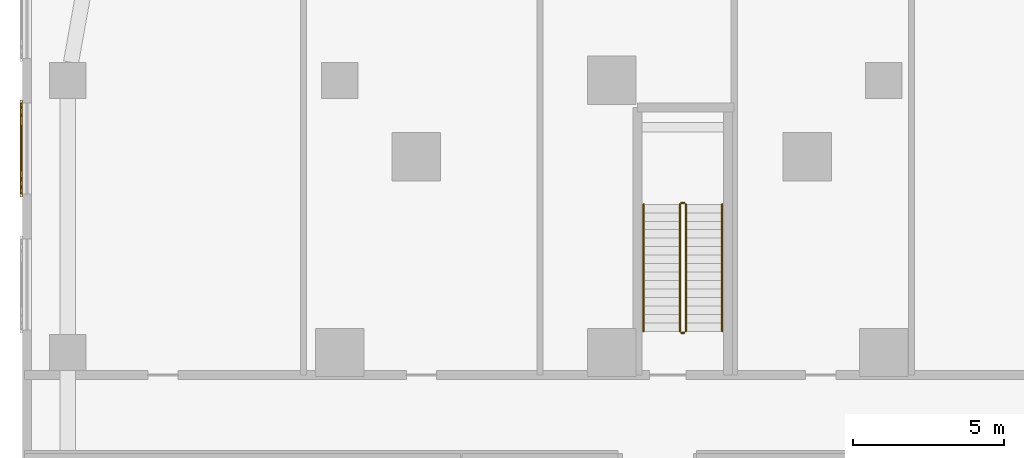
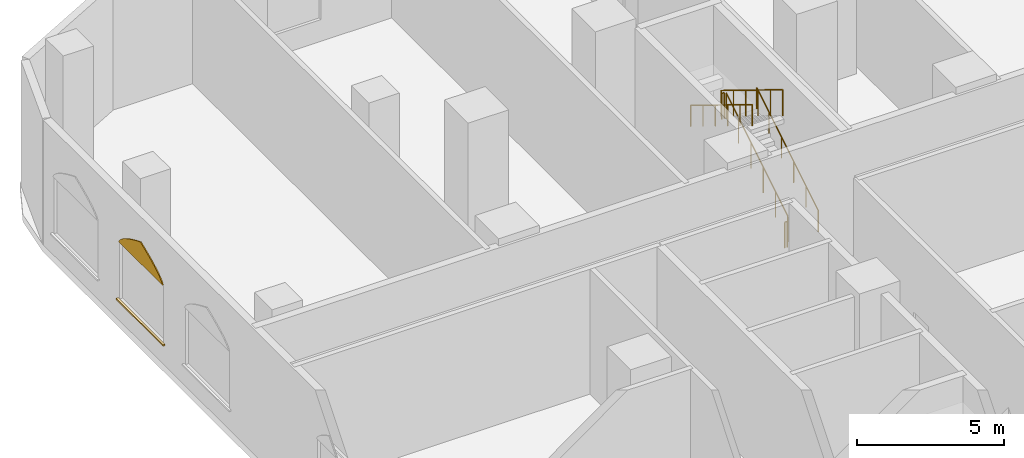
# One storey, part 24 of 31: 6 railings, 2 coverings.
"""IFC4 building model written with IfcOpenShell, lengths in metres."""

from ifc_helpers import new_model, si_unit, direction, frame, origin, origin_2d, place, context, subcontext, project, spatial, polyline, rectangle, circle, outline, extrude, material, layer, layer_set, type_object, element, save


model = new_model("IFC4")

# Units and contexts
model_context = context("Model", 3, precision=1e-05, world=origin(), true_north=direction((0.0, 1.0)))
body_context = subcontext(model_context, "Body", "Model", "MODEL_VIEW")
ifc_project = project(units=[si_unit("LENGTHUNIT", "METRE"), si_unit("AREAUNIT", "SQUARE_METRE"), si_unit("VOLUMEUNIT", "CUBIC_METRE"), si_unit("PLANEANGLEUNIT", "RADIAN"), si_unit("MASSUNIT", "GRAM", prefix="KILO")], contexts=[model_context])

# Site, building, storey
site_placement = place(None, origin())
site = spatial("IfcSite", under=ifc_project, at=site_placement, CompositionType="ELEMENT")
building_placement = place(site_placement, origin())
building = spatial("IfcBuilding", under=site, at=building_placement, Name="Ogive Portal Towers", CompositionType="ELEMENT")
storey_placement = place(building_placement, frame((0.0, 0.0, 8.0)))
storey = spatial("IfcBuildingStorey", under=building, at=storey_placement, Name="L01", CompositionType="ELEMENT", Elevation=8.0)

# Railings
ifc_material_1 = material(Name="Stainless steel balustrade", Category="steel")
railing_type_1 = type_object("IfcRailingType", Name="INT-GUARD", PredefinedType="GUARDRAIL", material=ifc_material_1)
railing_1_placement = place(storey_placement, frame((42.949951171875, 67.199951171875, 0.171875)))
element("IfcRailing", 1, at=railing_1_placement, inside=storey, type_object=railing_type_1, Name="L01 ST-A3 stair guard 1", PredefinedType="GUARDRAIL", context=body_context, shape_type="SweptSolid", body=[
    extrude(circle(Radius=0.02392578125, at=origin_2d()), frame((0.0, 0.0, 1.076171875), z_axis=(0.0, 0.852242915053, 0.523146264196), x_axis=(-1.0, 0.0, 0.0)), (0.0, 0.0, 1.0), 4.92822265625),
    extrude(circle(Radius=0.02099609375, at=origin_2d()), origin(), (0.0, 0.0, 1.0), 1.052001953125),
    extrude(circle(Radius=0.02099609375, at=origin_2d()), frame((0.0, 0.840087890625, 0.515625)), (0.0, 0.0, 1.0), 1.052001953125),
    extrude(circle(Radius=0.02099609375, at=origin_2d()), frame((0.0, 1.679931640625, 1.03125)), (0.0, 0.0, 1.0), 1.052001953125),
    extrude(circle(Radius=0.02099609375, at=origin_2d()), frame((0.0, 2.52001953125, 1.546875)), (0.0, 0.0, 1.0), 1.052001953125),
    extrude(circle(Radius=0.02099609375, at=origin_2d()), frame((0.0, 3.35986328125, 2.0625)), (0.0, 0.0, 1.0), 1.052001953125),
    extrude(circle(Radius=0.02099609375, at=origin_2d()), frame((0.0, 4.199951171875, 2.578125)), (0.0, 0.0, 1.0), 1.052001953125),
])
railing_2_placement = place(storey_placement, frame((42.89990234375, 71.449951171875, 2.75)))
element("IfcRailing", 2, at=railing_2_placement, inside=storey, type_object=railing_type_1, Name="L01 ST-A3 stair guard 2", PredefinedType="GUARDRAIL", context=body_context, shape_type="SweptSolid", body=[
    extrude(circle(Radius=0.02392578125, at=origin_2d()), frame((0.0, 0.0, 1.076171875), z_axis=(-1.0, 0.0, 0.0), x_axis=(0.0, -1.0, 0.0)), (0.0, 0.0, 1.0), 0.099853515625),
    extrude(circle(Radius=0.02099609375, at=origin_2d()), origin(), (0.0, 0.0, 1.0), 1.052001953125),
    extrude(circle(Radius=0.02099609375, at=origin_2d()), frame((-0.099853515625, 0.0, 0.0)), (0.0, 0.0, 1.0), 1.052001953125),
])
railing_3_placement = place(storey_placement, frame((42.75, 71.39990234375, 2.921875)))
element("IfcRailing", 3, at=railing_3_placement, inside=storey, type_object=railing_type_1, Name="L01 ST-A3 stair guard 3", PredefinedType="GUARDRAIL", context=body_context, shape_type="SweptSolid", body=[
    extrude(circle(Radius=0.02392578125, at=origin_2d()), frame((0.0, 0.0, 1.076171875), z_axis=(0.0, -0.852242915053, 0.523146264196), x_axis=(1.0, 0.0, 0.0)), (0.0, 0.0, 1.0), 4.92822265625),
    extrude(circle(Radius=0.02099609375, at=origin_2d()), origin(), (0.0, 0.0, 1.0), 1.052001953125),
    extrude(circle(Radius=0.02099609375, at=origin_2d()), frame((0.0, -0.840087890625, 0.515625)), (0.0, 0.0, 1.0), 1.052001953125),
    extrude(circle(Radius=0.02099609375, at=origin_2d()), frame((0.0, -1.679931640625, 1.03125)), (0.0, 0.0, 1.0), 1.052001953125),
    extrude(circle(Radius=0.02099609375, at=origin_2d()), frame((0.0, -2.52001953125, 1.546875)), (0.0, 0.0, 1.0), 1.052001953125),
    extrude(circle(Radius=0.02099609375, at=origin_2d()), frame((0.0, -3.35986328125, 2.0625)), (0.0, 0.0, 1.0), 1.052001953125),
    extrude(circle(Radius=0.02099609375, at=origin_2d()), frame((0.0, -4.199951171875, 2.578125)), (0.0, 0.0, 1.0), 1.052001953125),
])
railing_4_placement = place(storey_placement, frame((42.89990234375, 67.14990234375, 0.0)))
element("IfcRailing", 4, at=railing_4_placement, inside=storey, type_object=railing_type_1, Name="L01 ST-A3 stair guard 4", PredefinedType="GUARDRAIL", context=body_context, shape_type="SweptSolid", body=[
    extrude(circle(Radius=0.02392578125, at=origin_2d()), frame((0.0, 0.0, 1.076171875), z_axis=(-1.0, 0.0, 0.0), x_axis=(0.0, -1.0, 0.0)), (0.0, 0.0, 1.0), 0.099853515625),
    extrude(circle(Radius=0.02099609375, at=origin_2d()), origin(), (0.0, 0.0, 1.0), 1.052001953125),
    extrude(circle(Radius=0.02099609375, at=origin_2d()), frame((-0.099853515625, 0.0, 0.0)), (0.0, 0.0, 1.0), 1.052001953125),
])
ifc_material_2 = material(Name="Stainless steel handrail", Category="steel")
railing_type_2 = type_object("IfcRailingType", Name="INT-HANDRAIL", PredefinedType="HANDRAIL", material=ifc_material_2)
railing_5_placement = place(storey_placement, frame((44.14990234375, 67.199951171875, 0.171875)))
element("IfcRailing", 5, at=railing_5_placement, inside=storey, type_object=railing_type_2, Name="L01 ST-A3 stair handrail 1", PredefinedType="HANDRAIL", context=body_context, shape_type="SweptSolid", body=[
    extrude(circle(Radius=0.02392578125, at=origin_2d()), frame((0.0, 0.0, 0.8759765625), z_axis=(0.0, 0.852242915053, 0.523146264196), x_axis=(-1.0, 0.0, 0.0)), (0.0, 0.0, 1.0), 4.92822265625),
    extrude(circle(Radius=0.02099609375, at=origin_2d()), origin(), (0.0, 0.0, 1.0), 0.851806640625),
    extrude(circle(Radius=0.02099609375, at=origin_2d()), frame((0.0, 0.840087890625, 0.515625)), (0.0, 0.0, 1.0), 0.851806640625),
    extrude(circle(Radius=0.02099609375, at=origin_2d()), frame((0.0, 1.679931640625, 1.03125)), (0.0, 0.0, 1.0), 0.851806640625),
    extrude(circle(Radius=0.02099609375, at=origin_2d()), frame((0.0, 2.52001953125, 1.546875)), (0.0, 0.0, 1.0), 0.851806640625),
    extrude(circle(Radius=0.02099609375, at=origin_2d()), frame((0.0, 3.35986328125, 2.0625)), (0.0, 0.0, 1.0), 0.851806640625),
    extrude(circle(Radius=0.02099609375, at=origin_2d()), frame((0.0, 4.199951171875, 2.578125)), (0.0, 0.0, 1.0), 0.851806640625),
])
railing_6_placement = place(storey_placement, frame((41.550048828125, 71.39990234375, 2.921875)))
element("IfcRailing", 6, at=railing_6_placement, inside=storey, type_object=railing_type_2, Name="L01 ST-A3 stair handrail 2", PredefinedType="HANDRAIL", context=body_context, shape_type="SweptSolid", body=[
    extrude(circle(Radius=0.02392578125, at=origin_2d()), frame((0.0, 0.0, 0.8759765625), z_axis=(0.0, -0.852242915053, 0.523146264196), x_axis=(1.0, 0.0, 0.0)), (0.0, 0.0, 1.0), 4.92822265625),
    extrude(circle(Radius=0.02099609375, at=origin_2d()), origin(), (0.0, 0.0, 1.0), 0.851806640625),
    extrude(circle(Radius=0.02099609375, at=origin_2d()), frame((0.0, -0.840087890625, 0.515625)), (0.0, 0.0, 1.0), 0.851806640625),
    extrude(circle(Radius=0.02099609375, at=origin_2d()), frame((0.0, -1.679931640625, 1.03125)), (0.0, 0.0, 1.0), 0.851806640625),
    extrude(circle(Radius=0.02099609375, at=origin_2d()), frame((0.0, -2.52001953125, 1.546875)), (0.0, 0.0, 1.0), 0.851806640625),
    extrude(circle(Radius=0.02099609375, at=origin_2d()), frame((0.0, -3.35986328125, 2.0625)), (0.0, 0.0, 1.0), 0.851806640625),
    extrude(circle(Radius=0.02099609375, at=origin_2d()), frame((0.0, -4.199951171875, 2.578125)), (0.0, 0.0, 1.0), 0.851806640625),
])

# Coverings
ifc_material_3 = material(Name="Limestone cladding on lightweight block wall", Category="masonry")
ifc_layer_1 = layer(ifc_material_3, 0.0400390625)
ifc_layer_set_1 = layer_set([ifc_layer_1], Name="LANCET HEAD STONE")
covering_type_1 = type_object("IfcCoveringType", Name="LANCET HEAD STONE", PredefinedType="CLADDING", material=ifc_layer_set_1)
covering_1_placement = place(storey_placement, frame((21.0, 74.75, 3.300048828125), z_axis=(0.999950056531, 0.0, 0.009994220538), x_axis=(0.0, -1.0, 0.0)))
element("IfcCovering", 7, at=covering_1_placement, inside=storey, type_object=covering_type_1, Name="Lancet head", PredefinedType="CLADDING", context=body_context, shape_type="SweptSolid", body=[
    extrude(outline(polyline([(0.0, 0.0), (3.0, 0.0), (2.93359375, -0.11255540702230543), (2.8125, -0.22486424561759202), (2.655517578125, -0.3374196526398974), (2.4697265625, -0.4499726196669543), (2.2587890625, -0.5625280266892596), (2.025634765625, -0.6750834337115651), (1.772216796875, -0.7873922723068517), (1.5, -0.8999476793291572), (1.227783203125, -0.7873922723068517), (0.974365234375, -0.6750834337115651), (0.7412109375, -0.5625280266892596), (0.5302734375, -0.4499726196669543), (0.344482421875, -0.3374196526398974), (0.1875, -0.22486424561759202), (0.06640625, -0.11255540702230543), (0.0, 0.0)])), origin(), (0.0, 0.0, -1.0), 0.0400390625),
])
ifc_layer_2 = layer(ifc_material_3, 0.080078125)
ifc_layer_set_2 = layer_set([ifc_layer_2], Name="STONE SILL 80")
covering_type_2 = type_object("IfcCoveringType", Name="STONE SILL 80", PredefinedType="CLADDING", material=ifc_layer_set_2)
covering_2_placement = place(storey_placement, frame((20.9599609375, 73.25, 0.840087890625), z_axis=(0.0, 0.0, 1.0), x_axis=(0.0, -1.0, 0.0)))
element("IfcCovering", 8, at=covering_2_placement, inside=storey, type_object=covering_type_2, Name="Stone sill", PredefinedType="CLADDING", context=body_context, shape_type="SweptSolid", body=[
    extrude(rectangle(XDim=3.199951171875, YDim=0.080078125, at=origin_2d()), origin(), (0.0, 0.0, 1.0), 0.06005859375),
])

save(model, "model.ifc")
